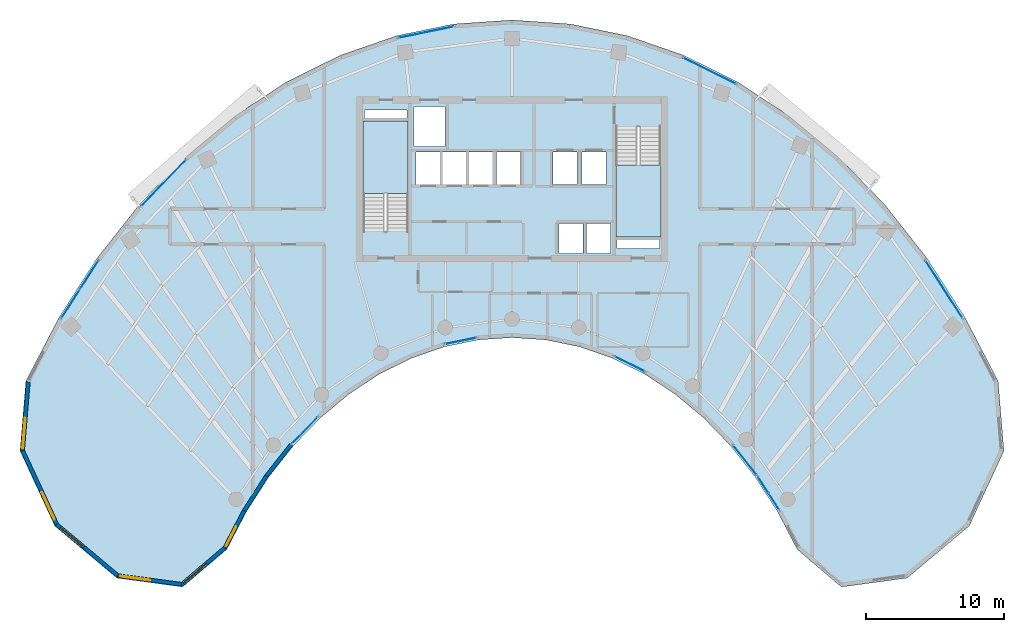
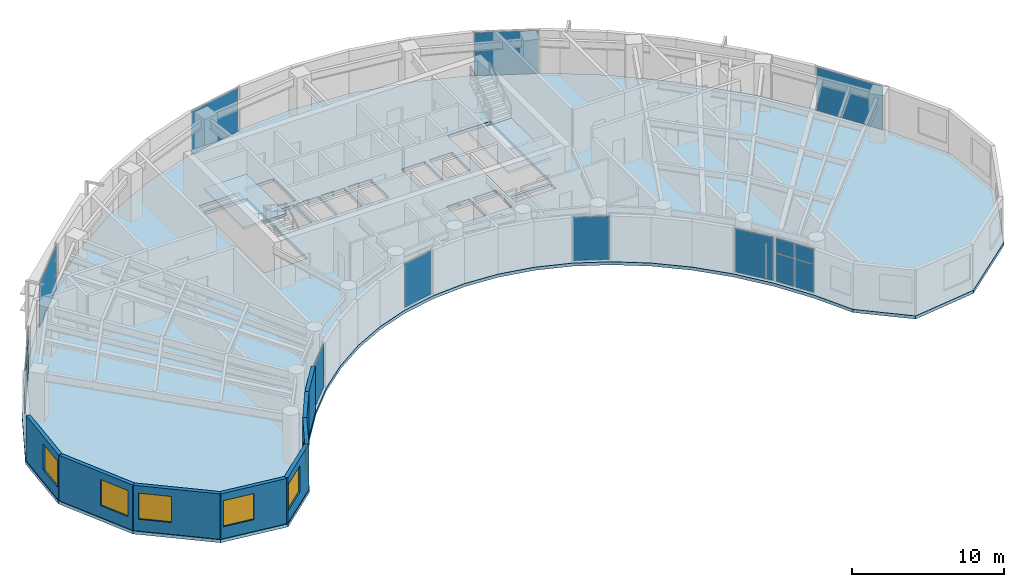
# One storey, part 7 of 13: 16 plates, 8 walls, 6 windows, 3 slabs, 6 openings, 12 elements without a shape of their own.
"""IFC4 building model written with IfcOpenShell, lengths in metres."""

from ifc_helpers import new_model, si_unit, direction, frame, frame_2d, origin, origin_2d, place, context, subcontext, project, spatial, polyline, rectangle, outline, extrude, source, transform, mapped, material, layer, layer_set, type_object, type_shapes, element, fill, aggregate, save


model = new_model("IFC4")

# Units and contexts
model_context = context("Model", 3, precision=1e-05, world=origin(), true_north=direction((0.0, 1.0)))
body_context = subcontext(model_context, "Body", "Model", "MODEL_VIEW")
ifc_project = project(units=[si_unit("LENGTHUNIT", "METRE"), si_unit("AREAUNIT", "SQUARE_METRE"), si_unit("VOLUMEUNIT", "CUBIC_METRE"), si_unit("PLANEANGLEUNIT", "RADIAN"), si_unit("MASSUNIT", "GRAM", prefix="KILO")], contexts=[model_context])

# Site, building, storey
site_placement = place(None, origin())
site = spatial("IfcSite", under=ifc_project, at=site_placement, CompositionType="ELEMENT")
building_placement = place(site_placement, origin())
building = spatial("IfcBuilding", under=site, at=building_placement, Name="Breltana Convention Tower", CompositionType="ELEMENT")
storey_placement = place(building_placement, frame((0.0, 0.0, 181.800048828125)))
storey = spatial("IfcBuildingStorey", under=building, at=storey_placement, Name="L44", CompositionType="ELEMENT", Elevation=181.800048828125)

# Slab
ifc_material_1 = material(Name="Concrete C40/50", Category="concrete")
ifc_layer_1 = layer(ifc_material_1, 0.25, Name="Concrete C40/50")
ifc_layer_set_1 = layer_set([ifc_layer_1], Name="Concrete C40/50")
slab_type_1 = type_object("IfcSlabType", Name="SL-OFF-250", PredefinedType="FLOOR", material=ifc_layer_set_1)
slab_1_placement = place(storey_placement, frame((0.0, 0.0, -0.25)))
element("IfcSlab", 1, at=slab_1_placement, inside=storey, type_object=slab_type_1, Name="L44 Suspended Structural Floor Slab", PredefinedType="FLOOR", context=body_context, shape_type="SweptSolid", body=[
    extrude(outline(polyline([(83.27880859375, 51.539794921875), (80.870361328125, 56.166015625), (78.12548828125, 60.442138671875), (75.072265625, 64.32470703125), (71.74169921875, 67.774169921875), (68.168212890625, 70.7548828125), (64.387939453125, 73.236328125), (60.440185546875, 75.193115234375), (56.36474609375, 76.60546875), (52.203857421875, 77.45849609375), (48.0, 77.743896484375), (43.796142578125, 77.45849609375), (39.63525390625, 76.60546875), (35.559814453125, 75.193115234375), (31.612060546875, 73.236328125), (27.831787109375, 70.7548828125), (24.25830078125, 67.774169921875), (20.927734375, 64.32470703125), (17.87451171875, 60.442138671875), (15.129638671875, 56.166015625), (12.72119140625, 51.539794921875), (12.298095703125, 46.4794921875), (14.822509765625, 41.019287109375), (19.329833984375, 37.2451171875), (24.098876953125, 36.598388671875), (27.3076171875, 39.326171875), (28.72021484375, 42.03955078125), (30.330078125, 44.5478515625), (32.12109375, 46.8251953125), (34.07470703125, 48.848388671875), (36.170654296875, 50.5966796875), (38.3876953125, 52.052001953125), (40.703369140625, 53.19970703125), (43.09375, 54.0283203125), (45.5341796875, 54.528564453125), (48.0, 54.696044921875), (50.4658203125, 54.528564453125), (52.90625, 54.0283203125), (55.296630859375, 53.19970703125), (57.6123046875, 52.052001953125), (59.829345703125, 50.5966796875), (61.92529296875, 48.848388671875), (63.87890625, 46.8251953125), (65.669921875, 44.5478515625), (67.27978515625, 42.03955078125), (68.6923828125, 39.326171875), (71.901123046875, 36.598388671875), (76.670166015625, 37.2451171875), (81.177490234375, 41.019287109375), (83.701904296875, 46.4794921875), (83.27880859375, 51.539794921875)]), holes=[polyline([(37.199951171875, 62.385009765625), (40.469970703125, 62.385009765625), (40.469970703125, 70.39990234375), (37.199951171875, 70.39990234375), (37.199951171875, 62.385009765625)]), polyline([(55.530029296875, 62.0), (58.800048828125, 62.0), (58.800048828125, 70.014892578125), (55.530029296875, 70.014892578125), (55.530029296875, 62.0)]), polyline([(51.39990234375, 60.800048828125), (53.159912109375, 60.800048828125), (53.159912109375, 62.97998046875), (51.39990234375, 62.97998046875), (51.39990234375, 60.800048828125)]), polyline([(53.39990234375, 60.800048828125), (55.159912109375, 60.800048828125), (55.159912109375, 62.97998046875), (53.39990234375, 62.97998046875), (53.39990234375, 60.800048828125)]), polyline([(41.0400390625, 65.820068359375), (42.800048828125, 65.820068359375), (42.800048828125, 68.179931640625), (41.0400390625, 68.179931640625), (41.0400390625, 65.820068359375)]), polyline([(42.93994140625, 65.820068359375), (44.699951171875, 65.820068359375), (44.699951171875, 68.179931640625), (42.93994140625, 68.179931640625), (42.93994140625, 65.820068359375)]), polyline([(44.8701171875, 65.820068359375), (46.6298828125, 65.820068359375), (46.6298828125, 68.179931640625), (44.8701171875, 68.179931640625), (44.8701171875, 65.820068359375)]), polyline([(46.8701171875, 65.820068359375), (48.6298828125, 65.820068359375), (48.6298828125, 68.179931640625), (46.8701171875, 68.179931640625), (46.8701171875, 65.820068359375)]), polyline([(50.969970703125, 65.800048828125), (52.72998046875, 65.800048828125), (52.72998046875, 68.179931640625), (50.969970703125, 68.179931640625), (50.969970703125, 65.800048828125)]), polyline([(53.070068359375, 65.800048828125), (54.830078125, 65.800048828125), (54.830078125, 68.179931640625), (53.070068359375, 68.179931640625), (53.070068359375, 65.800048828125)]), polyline([(40.8798828125, 68.550048828125), (43.1201171875, 68.550048828125), (43.1201171875, 71.449951171875), (40.8798828125, 71.449951171875), (40.8798828125, 68.550048828125)]), polyline([(37.300048828125, 70.60009765625), (40.3798828125, 70.60009765625), (40.3798828125, 71.219970703125), (37.300048828125, 71.219970703125), (37.300048828125, 70.60009765625)]), polyline([(55.6201171875, 61.179931640625), (58.699951171875, 61.179931640625), (58.699951171875, 61.800048828125), (55.6201171875, 61.800048828125), (55.6201171875, 61.179931640625)])]), origin(), (0.0, 0.0, 1.0), 0.25),
])

# Stair, slab
stair_type = type_object("IfcStairType", Name="ST-DOG-1560-R177", PredefinedType="HALF_TURN_STAIR", material=ifc_material_1)
stair_1_placement = place(storey_placement, origin())
stair_1 = element("IfcStair", 2, at=stair_1_placement, inside=storey, type_object=stair_type, Name="L44 Protected Core Exit Stair ST-1", PredefinedType="HALF_TURN_STAIR")
ifc_layer_2 = layer(ifc_material_1, 0.199951171875, Name="Concrete C40/50")
ifc_layer_set_2 = layer_set([ifc_layer_2], Name="Concrete C40/50")
slab_type_2 = type_object("IfcSlabType", Name="SL-STAIR-LANDING-200", PredefinedType="LANDING", material=ifc_layer_set_2)
slab_2_placement = place(storey_placement, frame((0.0, 0.0, 1.75)))
slab_2 = element("IfcSlab", 3, at=slab_2_placement, type_object=slab_type_2, Name="ST-1 landing 1", PredefinedType="LANDING", context=body_context, shape_type="SweptSolid", body=[
    extrude(outline(polyline([(40.469970703125, 65.159912109375), (40.469970703125, 70.39990234375), (37.199951171875, 70.39990234375), (37.199951171875, 65.159912109375), (40.469970703125, 65.159912109375)])), origin(), (0.0, 0.0, 1.0), 0.199951171875),
])
aggregate(stair_1, [slab_2])

stair_2_placement = place(storey_placement, origin())
stair_2 = element("IfcStair", 4, at=stair_2_placement, inside=storey, type_object=stair_type, Name="L44 Protected Core Exit Stair ST-2", PredefinedType="HALF_TURN_STAIR")
slab_3_placement = place(storey_placement, frame((0.0, 0.0, 1.75)))
slab_3 = element("IfcSlab", 5, at=slab_3_placement, type_object=slab_type_2, Name="ST-2 landing 1", PredefinedType="LANDING", context=body_context, shape_type="SweptSolid", body=[
    extrude(outline(polyline([(55.530029296875, 67.239990234375), (55.530029296875, 62.0), (58.800048828125, 62.0), (58.800048828125, 67.239990234375), (55.530029296875, 67.239990234375)])), origin(), (0.0, 0.0, 1.0), 0.199951171875),
])
aggregate(stair_2, [slab_3])

# Curtain wall, plates
ifc_material_2 = material(Name="Aluminium Anodised Bronze Frame", Category="aluminium")
ifc_layer_3 = layer(ifc_material_2, 0.18994140625, Name="Aluminium Anodised Bronze Frame")
ifc_layer_set_3 = layer_set([ifc_layer_3], Name="Aluminium Anodised Bronze Frame")
curtain_wall_type_1 = type_object("IfcCurtainWallType", Name="CW-SYS-1", PredefinedType="NOTDEFINED", material=ifc_layer_set_3)
curtain_wall_1_placement = place(storey_placement, origin())
curtain_wall_1 = element("IfcCurtainWall", 6, at=curtain_wall_1_placement, inside=storey, type_object=curtain_wall_type_1, Name="L44 inner south-court glazing 1", PredefinedType="NOTDEFINED")
ifc_material_3 = material(Name="Glass Low-E Double Glazing", Category="glass")
ifc_layer_4 = layer(ifc_material_3, 0.028076171875, Name="Glass Low-E Double Glazing")
ifc_layer_set_4 = layer_set([ifc_layer_4], Name="Glass Low-E Double Glazing")
plate_type = type_object("IfcPlateType", Name="CWP-IGU-28", PredefinedType="CURTAIN_PANEL", material=ifc_layer_set_4)
shared_shape_1 = source(origin(), body_context, "Body", "SweptSolid", [
    extrude(rectangle(XDim=1.3701171875, YDim=0.028076171875, at=origin_2d()), origin(), (0.0, 0.0, 1.0), 2.25244140625),
])
plate_1_placement = place(storey_placement, frame((67.01806640625, 42.78076171875, 0.080078125), z_axis=(0.0, 0.0, 1.0), x_axis=(-0.540184298954, 0.841546744491, 0.0)))
plate_1 = element("IfcPlate", 7, at=plate_1_placement, type_object=plate_type, Name="CW-01 panel 1.1", PredefinedType="CURTAIN_PANEL", context=body_context, shape_type="MappedRepresentation", body=[
    mapped(shared_shape_1, transform((0.0, 0.0, 0.0), scale=1.0)),
])
plate_2_placement = place(storey_placement, frame((66.234619140625, 44.001220703125, 0.080078125), z_axis=(0.0, 0.0, 1.0), x_axis=(-0.540184298954, 0.841546744491, 0.0)))
plate_2 = element("IfcPlate", 8, at=plate_2_placement, type_object=plate_type, Name="CW-01 panel 2.1", PredefinedType="CURTAIN_PANEL", context=body_context, shape_type="MappedRepresentation", body=[
    mapped(shared_shape_1, transform((0.0, 0.0, 0.0), scale=1.0)),
])
shared_shape_2 = source(origin(), body_context, "Body", "SweptSolid", [
    extrude(rectangle(XDim=1.3701171875, YDim=0.028076171875, at=origin_2d()), origin(), (0.0, 0.0, 1.0), 1.157470703125),
])
plate_3_placement = place(storey_placement, frame((67.01806640625, 42.78076171875, 2.41259765625), z_axis=(0.0, 0.0, 1.0), x_axis=(-0.540184298954, 0.841546744491, 0.0)))
plate_3 = element("IfcPlate", 9, at=plate_3_placement, type_object=plate_type, Name="CW-01 panel 1.2", PredefinedType="CURTAIN_PANEL", context=body_context, shape_type="MappedRepresentation", body=[
    mapped(shared_shape_2, transform((0.0, 0.0, 0.0), scale=1.0)),
])
plate_4_placement = place(storey_placement, frame((66.234619140625, 44.001220703125, 2.41259765625), z_axis=(0.0, 0.0, 1.0), x_axis=(-0.540184298954, 0.841546744491, 0.0)))
plate_4 = element("IfcPlate", 10, at=plate_4_placement, type_object=plate_type, Name="CW-01 panel 2.2", PredefinedType="CURTAIN_PANEL", context=body_context, shape_type="MappedRepresentation", body=[
    mapped(shared_shape_2, transform((0.0, 0.0, 0.0), scale=1.0)),
])
aggregate(curtain_wall_1, [plate_1, plate_3, plate_2, plate_4])

# Curtain wall, plate
curtain_wall_2_placement = place(storey_placement, origin())
curtain_wall_2 = element("IfcCurtainWall", 11, at=curtain_wall_2_placement, inside=storey, type_object=curtain_wall_type_1, Name="L44 inner south-court glazing 2", PredefinedType="NOTDEFINED")
shared_shape_3 = source(origin(), body_context, "Body", "SweptSolid", [
    extrude(rectangle(XDim=2.737060546875, YDim=0.028076171875, at=origin_2d()), origin(), (0.0, 0.0, 1.0), 3.489990234375),
])
plate_5_placement = place(storey_placement, frame((64.915771484375, 45.7978515625, 0.080078125), z_axis=(0.0, 0.0, 1.0), x_axis=(-0.618161435717, 0.786051168431, 0.0)))
plate_5 = element("IfcPlate", 12, at=plate_5_placement, type_object=plate_type, Name="CW-01 panel 1.1", PredefinedType="CURTAIN_PANEL", context=body_context, shape_type="MappedRepresentation", body=[
    mapped(shared_shape_3, transform((0.0, 0.0, 0.0), scale=1.0)),
])
aggregate(curtain_wall_2, [plate_5])

# Curtain wall, plates
ifc_layer_5 = layer(ifc_material_2, 0.2099609375, Name="Aluminium Anodised Bronze Frame")
ifc_layer_set_5 = layer_set([ifc_layer_5], Name="Aluminium Anodised Bronze Frame")
curtain_wall_type_2 = type_object("IfcCurtainWallType", Name="CW-SYS-3", PredefinedType="NOTDEFINED", material=ifc_layer_set_5)
curtain_wall_3_placement = place(storey_placement, origin())
curtain_wall_3 = element("IfcCurtainWall", 13, at=curtain_wall_3_placement, inside=storey, type_object=curtain_wall_type_2, Name="L44 outer double-skin inner glazing 1", PredefinedType="NOTDEFINED")
shared_shape_4 = source(origin(), body_context, "Body", "SweptSolid", [
    extrude(rectangle(XDim=2.42724609375, YDim=0.028076171875, at=origin_2d()), origin(), (0.0, 0.0, 1.0), 2.25244140625),
])
plate_6_placement = place(storey_placement, frame((15.97900390625, 57.15576171875, 0.080078125), z_axis=(0.0, 0.0, 1.0), x_axis=(0.54017267843, 0.841554203529, 0.0)))
plate_6 = element("IfcPlate", 14, at=plate_6_placement, type_object=plate_type, Name="CW-03 panel 1.1", PredefinedType="CURTAIN_PANEL", context=body_context, shape_type="MappedRepresentation", body=[
    mapped(shared_shape_4, transform((0.0, 0.0, 0.0), scale=1.0)),
])
plate_7_placement = place(storey_placement, frame((17.327880859375, 59.25732421875, 0.080078125), z_axis=(0.0, 0.0, 1.0), x_axis=(0.54017267843, 0.841554203529, 0.0)))
plate_7 = element("IfcPlate", 15, at=plate_7_placement, type_object=plate_type, Name="CW-03 panel 2.1", PredefinedType="CURTAIN_PANEL", context=body_context, shape_type="MappedRepresentation", body=[
    mapped(shared_shape_4, transform((0.0, 0.0, 0.0), scale=1.0)),
])
shared_shape_5 = source(origin(), body_context, "Body", "SweptSolid", [
    extrude(rectangle(XDim=2.42724609375, YDim=0.028076171875, at=origin_2d()), origin(), (0.0, 0.0, 1.0), 1.157470703125),
])
plate_8_placement = place(storey_placement, frame((15.97900390625, 57.15576171875, 2.41259765625), z_axis=(0.0, 0.0, 1.0), x_axis=(0.54017267843, 0.841554203529, 0.0)))
plate_8 = element("IfcPlate", 16, at=plate_8_placement, type_object=plate_type, Name="CW-03 panel 1.2", PredefinedType="CURTAIN_PANEL", context=body_context, shape_type="MappedRepresentation", body=[
    mapped(shared_shape_5, transform((0.0, 0.0, 0.0), scale=1.0)),
])
plate_9_placement = place(storey_placement, frame((17.327880859375, 59.25732421875, 2.41259765625), z_axis=(0.0, 0.0, 1.0), x_axis=(0.54017267843, 0.841554203529, 0.0)))
plate_9 = element("IfcPlate", 17, at=plate_9_placement, type_object=plate_type, Name="CW-03 panel 2.2", PredefinedType="CURTAIN_PANEL", context=body_context, shape_type="MappedRepresentation", body=[
    mapped(shared_shape_5, transform((0.0, 0.0, 0.0), scale=1.0)),
])
aggregate(curtain_wall_3, [plate_6, plate_8, plate_7, plate_9])

# Curtain wall, plate
curtain_wall_4_placement = place(storey_placement, origin())
curtain_wall_4 = element("IfcCurtainWall", 18, at=curtain_wall_4_placement, inside=storey, type_object=curtain_wall_type_2, Name="L44 outer double-skin inner glazing 4", PredefinedType="NOTDEFINED")
shared_shape_6 = source(origin(), body_context, "Body", "SweptSolid", [
    extrude(rectangle(XDim=4.243896484375, YDim=0.028076171875, at=origin_2d()), origin(), (0.0, 0.0, 1.0), 3.489990234375),
])
plate_10_placement = place(storey_placement, frame((62.334228515625, 74.053466796875, 0.080078125), z_axis=(0.0, 0.0, 1.0), x_axis=(0.895968385619, -0.444117835682, 0.0)))
plate_10 = element("IfcPlate", 19, at=plate_10_placement, type_object=plate_type, Name="CW-03 panel 1.1", PredefinedType="CURTAIN_PANEL", context=body_context, shape_type="MappedRepresentation", body=[
    mapped(shared_shape_6, transform((0.0, 0.0, 0.0), scale=1.0)),
])
aggregate(curtain_wall_4, [plate_10])

curtain_wall_5_placement = place(storey_placement, origin())
curtain_wall_5 = element("IfcCurtainWall", 20, at=curtain_wall_5_placement, inside=storey, type_object=curtain_wall_type_2, Name="L44 outer double-skin inner glazing 3", PredefinedType="NOTDEFINED")
shared_shape_7 = source(origin(), body_context, "Body", "SweptSolid", [
    extrude(rectangle(XDim=4.08349609375, YDim=0.028076171875, at=origin_2d()), origin(), (0.0, 0.0, 1.0), 3.489990234375),
])
plate_11_placement = place(storey_placement, frame((41.751708984375, 76.855712890625, 0.080078125), z_axis=(0.0, 0.0, 1.0), x_axis=(0.979616560993, 0.200876562668, 0.0)))
plate_11 = element("IfcPlate", 21, at=plate_11_placement, type_object=plate_type, Name="CW-03 panel 1.1", PredefinedType="CURTAIN_PANEL", context=body_context, shape_type="MappedRepresentation", body=[
    mapped(shared_shape_7, transform((0.0, 0.0, 0.0), scale=1.0)),
])
aggregate(curtain_wall_5, [plate_11])

curtain_wall_6_placement = place(storey_placement, origin())
curtain_wall_6 = element("IfcCurtainWall", 22, at=curtain_wall_6_placement, inside=storey, type_object=curtain_wall_type_2, Name="L44 outer double-skin inner glazing 2", PredefinedType="NOTDEFINED")
shared_shape_8 = source(origin(), body_context, "Body", "SweptSolid", [
    extrude(rectangle(XDim=4.635986328125, YDim=0.028076171875, at=origin_2d()), origin(), (0.0, 0.0, 1.0), 3.489990234375),
])
plate_12_placement = place(storey_placement, frame((22.722412109375, 65.92431640625, 0.080078125), z_axis=(0.0, 0.0, 1.0), x_axis=(0.694602734297, 0.719393523398, 0.0)))
plate_12 = element("IfcPlate", 23, at=plate_12_placement, type_object=plate_type, Name="CW-03 panel 1.1", PredefinedType="CURTAIN_PANEL", context=body_context, shape_type="MappedRepresentation", body=[
    mapped(shared_shape_8, transform((0.0, 0.0, 0.0), scale=1.0)),
])
aggregate(curtain_wall_6, [plate_12])

curtain_wall_7_placement = place(storey_placement, origin())
curtain_wall_7 = element("IfcCurtainWall", 24, at=curtain_wall_7_placement, inside=storey, type_object=curtain_wall_type_1, Name="L44 inner south-court glazing 3", PredefinedType="NOTDEFINED")
shared_shape_9 = source(origin(), body_context, "Body", "SweptSolid", [
    extrude(rectangle(XDim=2.424560546875, YDim=0.028076171875, at=origin_2d()), origin(), (0.0, 0.0, 1.0), 3.489990234375),
])
plate_13_placement = place(storey_placement, frame((56.5341796875, 52.787109375, 0.080078125), z_axis=(0.0, 0.0, 1.0), x_axis=(-0.895969545082, 0.444115496562, 0.0)))
plate_13 = element("IfcPlate", 25, at=plate_13_placement, type_object=plate_type, Name="CW-01 panel 1.1", PredefinedType="CURTAIN_PANEL", context=body_context, shape_type="MappedRepresentation", body=[
    mapped(shared_shape_9, transform((0.0, 0.0, 0.0), scale=1.0)),
])
aggregate(curtain_wall_7, [plate_13])

curtain_wall_8_placement = place(storey_placement, origin())
curtain_wall_8 = element("IfcCurtainWall", 26, at=curtain_wall_8_placement, inside=storey, type_object=curtain_wall_type_1, Name="L44 inner south-court glazing 4", PredefinedType="NOTDEFINED")
shared_shape_10 = source(origin(), body_context, "Body", "SweptSolid", [
    extrude(rectangle(XDim=2.331298828125, YDim=0.028076171875, at=origin_2d()), origin(), (0.0, 0.0, 1.0), 3.489990234375),
])
plate_14_placement = place(storey_placement, frame((44.27783203125, 54.45458984375, 0.080078125), z_axis=(0.0, 0.0, 1.0), x_axis=(-0.979619715529, -0.200861178299, 0.0)))
plate_14 = element("IfcPlate", 27, at=plate_14_placement, type_object=plate_type, Name="CW-01 panel 1.1", PredefinedType="CURTAIN_PANEL", context=body_context, shape_type="MappedRepresentation", body=[
    mapped(shared_shape_10, transform((0.0, 0.0, 0.0), scale=1.0)),
])
aggregate(curtain_wall_8, [plate_14])

curtain_wall_9_placement = place(storey_placement, origin())
curtain_wall_9 = element("IfcCurtainWall", 28, at=curtain_wall_9_placement, inside=storey, type_object=curtain_wall_type_1, Name="L44 inner south-court glazing 5", PredefinedType="NOTDEFINED")
shared_shape_11 = source(origin(), body_context, "Body", "SweptSolid", [
    extrude(rectangle(XDim=2.65234375, YDim=0.028076171875, at=origin_2d()), origin(), (0.0, 0.0, 1.0), 3.489990234375),
])
plate_15_placement = place(storey_placement, frame((32.96826171875, 47.961669921875, 0.080078125), z_axis=(0.0, 0.0, 1.0), x_axis=(-0.694606570168, -0.719389819694, 0.0)))
plate_15 = element("IfcPlate", 29, at=plate_15_placement, type_object=plate_type, Name="CW-01 panel 1.1", PredefinedType="CURTAIN_PANEL", context=body_context, shape_type="MappedRepresentation", body=[
    mapped(shared_shape_11, transform((0.0, 0.0, 0.0), scale=1.0)),
])
aggregate(curtain_wall_9, [plate_15])

curtain_wall_10_placement = place(storey_placement, origin())
curtain_wall_10 = element("IfcCurtainWall", 30, at=curtain_wall_10_placement, inside=storey, type_object=curtain_wall_type_2, Name="L44 outer double-skin inner glazing 5", PredefinedType="NOTDEFINED")
shared_shape_12 = source(origin(), body_context, "Body", "SweptSolid", [
    extrude(rectangle(XDim=4.924560546875, YDim=0.028076171875, at=origin_2d()), origin(), (0.0, 0.0, 1.0), 3.489990234375),
])
plate_16_placement = place(storey_placement, frame((79.3466796875, 58.20654296875, 0.080078125), z_axis=(0.0, 0.0, 1.0), x_axis=(0.54017267843, -0.841554203529, 0.0)))
plate_16 = element("IfcPlate", 31, at=plate_16_placement, type_object=plate_type, Name="CW-03 panel 1.1", PredefinedType="CURTAIN_PANEL", context=body_context, shape_type="MappedRepresentation", body=[
    mapped(shared_shape_12, transform((0.0, 0.0, 0.0), scale=1.0)),
])
aggregate(curtain_wall_10, [plate_16])

# Wall, opening, window
ifc_material_4 = material(Name="Limestone Buff Insulated Wall", Category="masonry")
ifc_layer_6 = layer(ifc_material_4, 0.280029296875, Name="Limestone Buff Insulated Wall")
ifc_layer_set_6 = layer_set([ifc_layer_6], Name="Limestone Buff Insulated Wall")
wall_type = type_object("IfcWallType", Name="WL-EXT-NOSE-280", PredefinedType="SOLIDWALL", material=ifc_layer_set_6)
shared_shape_13 = source(origin(), body_context, "Body", "SweptSolid", [
    extrude(rectangle(XDim=4.994384765625, YDim=0.280029296875, at=frame_2d((2.4970703125, 0.0))), origin(), (0.0, 0.0, 1.0), 3.64990234375),
])
wall_1_placement = place(storey_placement, frame((12.4814453125, 46.51171875, 0.0), z_axis=(0.0, 0.0, 1.0), x_axis=(0.083344839916, 0.996520766296, 0.0)))
wall_1 = element("IfcWall", 32, at=wall_1_placement, inside=storey, type_object=wall_type, Name="L44 curved limestone nose wall W6", PredefinedType="SOLIDWALL", context=body_context, shape_type="MappedRepresentation", body=[
    mapped(shared_shape_13, transform((0.0, 0.0, 0.0), scale=1.0)),
])
opening_1_placement = place(wall_1_placement, frame((0.159912109375, 0.0, 0.949951171875)))
opening_1 = element("IfcOpeningElement", 33, at=opening_1_placement, cuts=wall_1, Name="Opening W-03", PredefinedType="OPENING", context=body_context, shape_type="SweptSolid", body=[
    extrude(rectangle(XDim=2.199951171875, YDim=2.10009765625, at=frame_2d((1.10009765625, 1.050048828125))), frame((0.0, 0.14990234375, 0.0), z_axis=(0.0, -1.0, 0.0), x_axis=(1.0, 0.0, 0.0)), (0.0, 0.0, 1.0), 0.300048828125),
])
ifc_material_5 = material(Name="Glass Low-E Insulated Window", Category="glass")
window_type_1 = type_object("IfcWindowType", Name="WN-NOSE-2200X2100", PartitioningType="TRIPLE_PANEL_VERTICAL", PredefinedType="WINDOW", material=ifc_material_5)
shared_shape_14 = source(origin(), body_context, "Body", "SweptSolid", [
    extrude(rectangle(XDim=2.199951171875, YDim=2.10009765625, at=frame_2d((1.10009765625, 1.050048828125))), frame((0.0, 0.030029296875, 0.0), z_axis=(0.0, -1.0, 0.0), x_axis=(1.0, 0.0, 0.0)), (0.0, 0.0, 1.0), 0.06005859375),
])
type_shapes(window_type_1, [shared_shape_14])
window_1_placement = place(opening_1_placement, origin())
window_1 = element("IfcWindow", 34, at=window_1_placement, inside=storey, type_object=window_type_1, Name="L44 nose window W6", OverallHeight=2.10009765625, OverallWidth=2.199951171875, PartitioningType="TRIPLE_PANEL_VERTICAL", PredefinedType="WINDOW", context=body_context, shape_type="MappedRepresentation", body=[
    mapped(shared_shape_14, transform((0.0, 0.0, 0.0), scale=1.0)),
])
fill(opening_1, window_1)

shared_shape_15 = source(origin(), body_context, "Body", "SweptSolid", [
    extrude(rectangle(XDim=5.927490234375, YDim=0.280029296875, at=frame_2d((2.9638671875, 0.0))), origin(), (0.0, 0.0, 1.0), 3.64990234375),
])
wall_2_placement = place(storey_placement, frame((14.968994140625, 41.13134765625, 0.0), z_axis=(0.0, 0.0, 1.0), x_axis=(-0.419656204795, 0.907683132914, 0.0)))
wall_2 = element("IfcWall", 35, at=wall_2_placement, inside=storey, type_object=wall_type, Name="L44 curved limestone nose wall W5", PredefinedType="SOLIDWALL", context=body_context, shape_type="MappedRepresentation", body=[
    mapped(shared_shape_15, transform((0.0, 0.0, 0.0), scale=1.0)),
])
opening_2_placement = place(wall_2_placement, frame((0.3818359375, 0.0, 0.949951171875)))
opening_2 = element("IfcOpeningElement", 36, at=opening_2_placement, cuts=wall_2, Name="Opening W-03", PredefinedType="OPENING", context=body_context, shape_type="SweptSolid", body=[
    extrude(rectangle(XDim=2.199951171875, YDim=2.10009765625, at=frame_2d((1.10009765625, 1.050048828125))), frame((0.0, 0.14990234375, 0.0), z_axis=(0.0, -1.0, 0.0), x_axis=(1.0, 0.0, 0.0)), (0.0, 0.0, 1.0), 0.300048828125),
])
window_2_placement = place(opening_2_placement, origin())
window_2 = element("IfcWindow", 37, at=window_2_placement, inside=storey, type_object=window_type_1, Name="L44 nose window W5", OverallHeight=2.10009765625, OverallWidth=2.199951171875, PartitioningType="TRIPLE_PANEL_VERTICAL", PredefinedType="WINDOW", context=body_context, shape_type="MappedRepresentation", body=[
    mapped(shared_shape_14, transform((0.0, 0.0, 0.0), scale=1.0)),
])
fill(opening_2, window_2)

shared_shape_16 = source(origin(), body_context, "Body", "SweptSolid", [
    extrude(rectangle(XDim=5.786376953125, YDim=0.280029296875, at=frame_2d((2.89306640625, 0.0))), origin(), (0.0, 0.0, 1.0), 3.64990234375),
])
wall_3_placement = place(storey_placement, frame((19.405517578125, 37.41650390625, 0.0), z_axis=(0.0, 0.0, 1.0), x_axis=(-0.766711306852, 0.641992034176, 0.0)))
wall_3 = element("IfcWall", 38, at=wall_3_placement, inside=storey, type_object=wall_type, Name="L44 curved limestone nose wall W4", PredefinedType="SOLIDWALL", context=body_context, shape_type="MappedRepresentation", body=[
    mapped(shared_shape_16, transform((0.0, 0.0, 0.0), scale=1.0)),
])
opening_3_placement = place(wall_3_placement, frame((3.239990234375, 0.0, 0.949951171875)))
opening_3 = element("IfcOpeningElement", 39, at=opening_3_placement, cuts=wall_3, Name="Opening W-03", PredefinedType="OPENING", context=body_context, shape_type="SweptSolid", body=[
    extrude(rectangle(XDim=2.199951171875, YDim=2.10009765625, at=frame_2d((1.10009765625, 1.050048828125))), frame((0.0, 0.14990234375, 0.0), z_axis=(0.0, -1.0, 0.0), x_axis=(1.0, 0.0, 0.0)), (0.0, 0.0, 1.0), 0.300048828125),
])
window_3_placement = place(opening_3_placement, origin())
window_3 = element("IfcWindow", 40, at=window_3_placement, inside=storey, type_object=window_type_1, Name="L44 nose window W4", OverallHeight=2.10009765625, OverallWidth=2.199951171875, PartitioningType="TRIPLE_PANEL_VERTICAL", PredefinedType="WINDOW", context=body_context, shape_type="MappedRepresentation", body=[
    mapped(shared_shape_14, transform((0.0, 0.0, 0.0), scale=1.0)),
])
fill(opening_3, window_3)

shared_shape_17 = source(origin(), body_context, "Body", "SweptSolid", [
    extrude(rectangle(XDim=4.680419921875, YDim=0.280029296875, at=frame_2d((2.34033203125, 0.0))), origin(), (0.0, 0.0, 1.0), 3.64990234375),
])
wall_4_placement = place(storey_placement, frame((24.04345703125, 36.78759765625, 0.0), z_axis=(0.0, 0.0, 1.0), x_axis=(-0.990931146435, 0.134370618162, 0.0)))
wall_4 = element("IfcWall", 41, at=wall_4_placement, inside=storey, type_object=wall_type, Name="L44 curved limestone nose wall W3", PredefinedType="SOLIDWALL", context=body_context, shape_type="MappedRepresentation", body=[
    mapped(shared_shape_17, transform((0.0, 0.0, 0.0), scale=1.0)),
])
opening_4_placement = place(wall_4_placement, frame((2.3203125, 0.0, 0.949951171875)))
opening_4 = element("IfcOpeningElement", 42, at=opening_4_placement, cuts=wall_4, Name="Opening W-03", PredefinedType="OPENING", context=body_context, shape_type="SweptSolid", body=[
    extrude(rectangle(XDim=2.199951171875, YDim=2.10009765625, at=frame_2d((1.10009765625, 1.050048828125))), frame((0.0, 0.14990234375, 0.0), z_axis=(0.0, -1.0, 0.0), x_axis=(1.0, 0.0, 0.0)), (0.0, 0.0, 1.0), 0.300048828125),
])
window_4_placement = place(opening_4_placement, origin())
window_4 = element("IfcWindow", 43, at=window_4_placement, inside=storey, type_object=window_type_1, Name="L44 nose window W3", OverallHeight=2.10009765625, OverallWidth=2.199951171875, PartitioningType="TRIPLE_PANEL_VERTICAL", PredefinedType="WINDOW", context=body_context, shape_type="MappedRepresentation", body=[
    mapped(shared_shape_14, transform((0.0, 0.0, 0.0), scale=1.0)),
])
fill(opening_4, window_4)

shared_shape_18 = source(origin(), body_context, "Body", "SweptSolid", [
    extrude(rectangle(XDim=4.095947265625, YDim=0.280029296875, at=frame_2d((2.0478515625, 0.0))), origin(), (0.0, 0.0, 1.0), 3.64990234375),
])
wall_5_placement = place(storey_placement, frame((27.164306640625, 39.4404296875, 0.0), z_axis=(0.0, 0.0, 1.0), x_axis=(-0.761926081737, -0.647663991564, 0.0)))
wall_5 = element("IfcWall", 44, at=wall_5_placement, inside=storey, type_object=wall_type, Name="L44 curved limestone nose wall W2", PredefinedType="SOLIDWALL", context=body_context, shape_type="MappedRepresentation", body=[
    mapped(shared_shape_18, transform((0.0, 0.0, 0.0), scale=1.0)),
])
opening_5_placement = place(wall_5_placement, frame((1.736083984375, 0.0, 0.949951171875)))
opening_5 = element("IfcOpeningElement", 45, at=opening_5_placement, cuts=wall_5, Name="Opening W-03", PredefinedType="OPENING", context=body_context, shape_type="SweptSolid", body=[
    extrude(rectangle(XDim=2.199951171875, YDim=2.10009765625, at=frame_2d((1.10009765625, 1.050048828125))), frame((0.0, 0.14990234375, 0.0), z_axis=(0.0, -1.0, 0.0), x_axis=(1.0, 0.0, 0.0)), (0.0, 0.0, 1.0), 0.300048828125),
])
window_5_placement = place(opening_5_placement, origin())
window_5 = element("IfcWindow", 46, at=window_5_placement, inside=storey, type_object=window_type_1, Name="L44 nose window W2", OverallHeight=2.10009765625, OverallWidth=2.199951171875, PartitioningType="TRIPLE_PANEL_VERTICAL", PredefinedType="WINDOW", context=body_context, shape_type="MappedRepresentation", body=[
    mapped(shared_shape_14, transform((0.0, 0.0, 0.0), scale=1.0)),
])
fill(opening_5, window_5)

shared_shape_19 = source(origin(), body_context, "Body", "SweptSolid", [
    extrude(rectangle(XDim=3.02392578125, YDim=0.280029296875, at=frame_2d((1.511962890625, 0.0))), origin(), (0.0, 0.0, 1.0), 3.64990234375),
])
wall_6_placement = place(storey_placement, frame((28.560546875, 42.122802734375, 0.0), z_axis=(0.0, 0.0, 1.0), x_axis=(-0.461718746531, -0.887026380161, 0.0)))
wall_6 = element("IfcWall", 47, at=wall_6_placement, inside=storey, type_object=wall_type, Name="L44 curved limestone nose wall W1", PredefinedType="SOLIDWALL", context=body_context, shape_type="MappedRepresentation", body=[
    mapped(shared_shape_19, transform((0.0, 0.0, 0.0), scale=1.0)),
])
opening_6_placement = place(wall_6_placement, frame((1.263916015625, 0.0, 0.949951171875)))
opening_6 = element("IfcOpeningElement", 48, at=opening_6_placement, cuts=wall_6, Name="Opening W-04", PredefinedType="OPENING", context=body_context, shape_type="SweptSolid", body=[
    extrude(rectangle(XDim=1.60009765625, YDim=1.89990234375, at=frame_2d((0.800048828125, 0.949951171875))), frame((0.0, 0.14990234375, 0.0), z_axis=(0.0, -1.0, 0.0), x_axis=(1.0, 0.0, 0.0)), (0.0, 0.0, 1.0), 0.300048828125),
])
window_type_2 = type_object("IfcWindowType", Name="WN-NOSE-1600X1900", PartitioningType="SINGLE_PANEL", PredefinedType="WINDOW", material=ifc_material_5)
shared_shape_20 = source(origin(), body_context, "Body", "SweptSolid", [
    extrude(rectangle(XDim=1.60009765625, YDim=1.89990234375, at=frame_2d((0.800048828125, 0.949951171875))), frame((0.0, 0.030029296875, 0.0), z_axis=(0.0, -1.0, 0.0), x_axis=(1.0, 0.0, 0.0)), (0.0, 0.0, 1.0), 0.06005859375),
])
type_shapes(window_type_2, [shared_shape_20])
window_6_placement = place(opening_6_placement, origin())
window_6 = element("IfcWindow", 49, at=window_6_placement, inside=storey, type_object=window_type_2, Name="L44 nose window W1", OverallHeight=1.89990234375, OverallWidth=1.60009765625, PartitioningType="SINGLE_PANEL", PredefinedType="WINDOW", context=body_context, shape_type="MappedRepresentation", body=[
    mapped(shared_shape_20, transform((0.0, 0.0, 0.0), scale=1.0)),
])
fill(opening_6, window_6)

# Walls
shared_shape_21 = source(origin(), body_context, "Body", "SweptSolid", [
    extrude(rectangle(XDim=2.89697265625, YDim=0.280029296875, at=frame_2d((1.448486328125, 0.0))), origin(), (0.0, 0.0, 1.0), 3.64990234375),
])
wall_7_placement = place(storey_placement, frame((31.9794921875, 46.936279296875, 0.0), z_axis=(0.0, 0.0, 1.0), x_axis=(-0.618167636915, -0.786046291685, 0.0)))
element("IfcWall", 50, at=wall_7_placement, inside=storey, type_object=wall_type, Name="L44 curved limestone nose wall E18", PredefinedType="SOLIDWALL", context=body_context, shape_type="MappedRepresentation", body=[
    mapped(shared_shape_21, transform((0.0, 0.0, 0.0), scale=1.0)),
])
shared_shape_22 = source(origin(), body_context, "Body", "SweptSolid", [
    extrude(rectangle(XDim=2.980712890625, YDim=0.280029296875, at=frame_2d((1.490234375, 0.0))), origin(), (0.0, 0.0, 1.0), 3.64990234375),
])
wall_8_placement = place(storey_placement, frame((30.1787109375, 44.64501953125, 0.0), z_axis=(0.0, 0.0, 1.0), x_axis=(-0.540194451908, -0.841540227278, 0.0)))
element("IfcWall", 51, at=wall_8_placement, inside=storey, type_object=wall_type, Name="L44 curved limestone nose wall E19", PredefinedType="SOLIDWALL", context=body_context, shape_type="MappedRepresentation", body=[
    mapped(shared_shape_22, transform((0.0, 0.0, 0.0), scale=1.0)),
])

save(model, "model.ifc")
